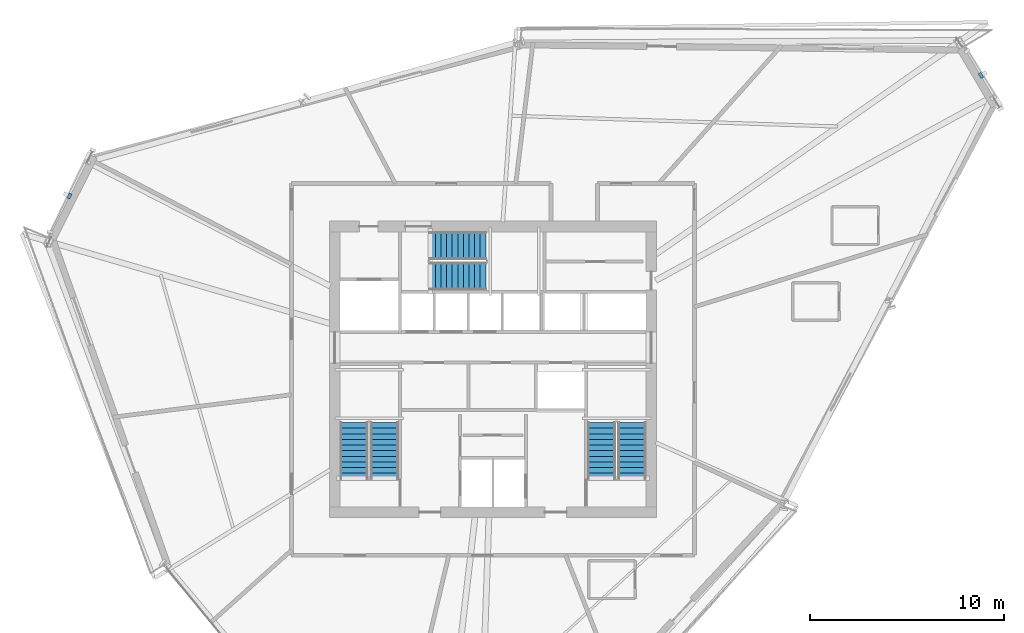
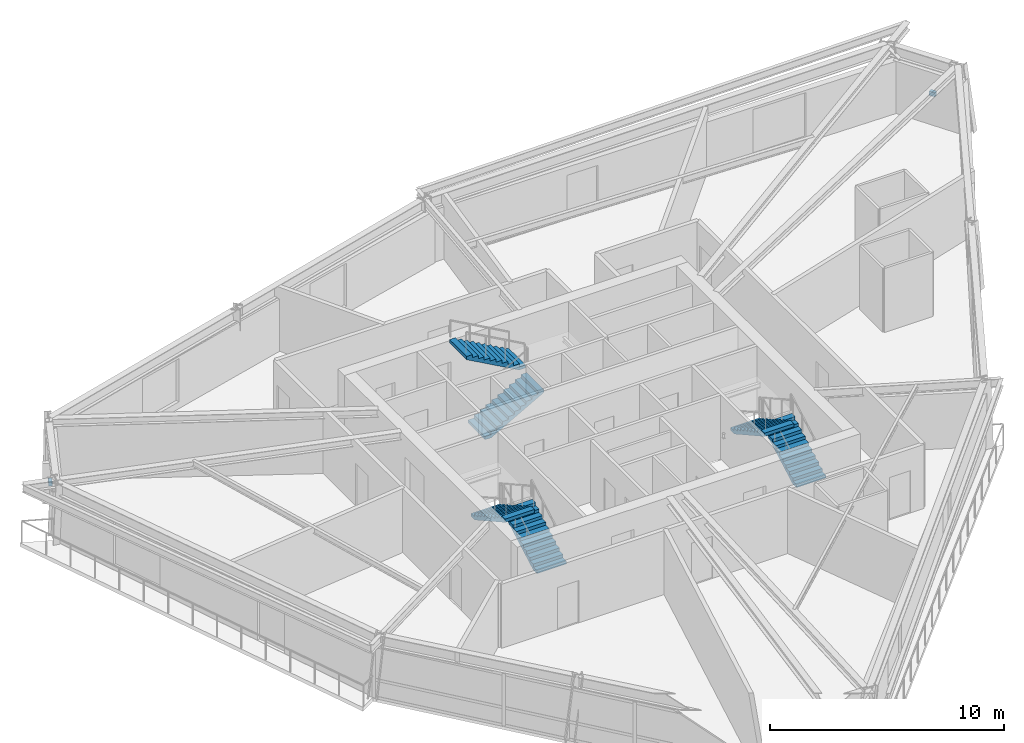
# One storey, part 12 of 15: 6 stair flights, 2 discrete accessories, 3 elements without a shape of their own.
"""IFC4 building model written with IfcOpenShell, lengths in metres."""

from ifc_helpers import new_model, si_unit, direction, frame, origin, origin_2d, place, context, subcontext, project, spatial, polyline, rectangle, outline, extrude, source, transform, mapped, material, type_object, element, aggregate, save


model = new_model("IFC4")

# Units and contexts
model_context = context("Model", 3, precision=1e-05, world=origin(), true_north=direction((0.0, 1.0)))
body_context = subcontext(model_context, "Body", "Model", "MODEL_VIEW")
ifc_project = project(units=[si_unit("LENGTHUNIT", "METRE"), si_unit("AREAUNIT", "SQUARE_METRE"), si_unit("VOLUMEUNIT", "CUBIC_METRE"), si_unit("PLANEANGLEUNIT", "RADIAN"), si_unit("MASSUNIT", "GRAM", prefix="KILO")], contexts=[model_context])

# Site, building, storey
site_placement = place(None, origin())
site = spatial("IfcSite", under=ifc_project, at=site_placement, CompositionType="ELEMENT")
building_placement = place(site_placement, origin())
building = spatial("IfcBuilding", under=site, at=building_placement, Name="Olszyna Solenne Hotel", CompositionType="ELEMENT")
storey_placement = place(building_placement, frame((0.0, 0.0, 160.800048828125)))
storey = spatial("IfcBuildingStorey", under=building, at=storey_placement, Name="L42", CompositionType="ELEMENT", Elevation=160.800048828125)

# Stair, stair flights
ifc_material_1 = material(Name="Concrete C40/50", Category="concrete")
stair_type = type_object("IfcStairType", Name="STR-C1", PredefinedType="TWO_QUARTER_WINDING_STAIR", material=ifc_material_1)
stair_1_placement = place(storey_placement, origin())
stair_1 = element("IfcStair", 1, at=stair_1_placement, inside=storey, type_object=stair_type, Name="L42 ST1", PredefinedType="TWO_QUARTER_WINDING_STAIR")
stair_flight_type = type_object("IfcStairFlightType", Name="FLT-C1", PredefinedType="STRAIGHT", material=ifc_material_1)
stair_flight_1_placement = place(storey_placement, frame((32.39501953125, 20.949951171875, 0.0), z_axis=(0.0, 0.0, 1.0), x_axis=(0.0, 1.0, 0.0)))
stair_flight_1 = element("IfcStairFlight", 2, at=stair_flight_1_placement, type_object=stair_flight_type, Name="ST1 flight 1", NumberOfRisers=11, NumberOfTreads=10, PredefinedType="STRAIGHT", RiserHeight=0.161363636, TreadLength=0.29, context=body_context, shape_type="SweptSolid", body=[
    extrude(outline(polyline([(0.0, 0.0), (0.0, 0.161376953125), (0.2900390625, 0.161376953125), (0.2900390625, 0.32275390625), (0.580078125, 0.32275390625), (0.580078125, 0.484130859375), (0.8701171875, 0.484130859375), (0.8701171875, 0.6455078125), (1.159912109375, 0.6455078125), (1.159912109375, 0.806884765625), (1.449951171875, 0.806884765625), (1.449951171875, 0.96826171875), (1.739990234375, 0.96826171875), (1.739990234375, 1.129638671875), (2.030029296875, 1.129638671875), (2.030029296875, 1.291015625), (2.320068359375, 1.291015625), (2.320068359375, 1.452392578125), (2.610107421875, 1.452392578125), (2.610107421875, 1.613525390625), (2.89990234375, 1.613525390625), (2.89990234375, 1.77490234375), (2.89990234375, 1.442138671875), (0.308349609375, 0.0), (0.0, 0.0)])), frame((0.0, 0.72509765625, 0.0), z_axis=(0.0, -1.0, 0.0), x_axis=(1.0, 0.0, 0.0)), (0.0, 0.0, 1.0), 1.449951171875),
])
stair_flight_2_placement = place(storey_placement, frame((30.824951171875, 23.85009765625, 1.77490234375), z_axis=(0.0, 0.0, 1.0), x_axis=(0.0, -1.0, 0.0)))
stair_flight_2 = element("IfcStairFlight", 3, at=stair_flight_2_placement, type_object=stair_flight_type, Name="ST1 flight 2", NumberOfRisers=11, NumberOfTreads=10, PredefinedType="STRAIGHT", RiserHeight=0.161363636, TreadLength=0.29, context=body_context, shape_type="SweptSolid", body=[
    extrude(outline(polyline([(0.0, 0.0), (0.0, 0.161376953125), (0.2900390625, 0.161376953125), (0.2900390625, 0.32275390625), (0.580078125, 0.32275390625), (0.580078125, 0.484130859375), (0.8701171875, 0.484130859375), (0.8701171875, 0.6455078125), (1.159912109375, 0.6455078125), (1.159912109375, 0.806884765625), (1.449951171875, 0.806884765625), (1.449951171875, 0.96826171875), (1.739990234375, 0.96826171875), (1.739990234375, 1.129638671875), (2.030029296875, 1.129638671875), (2.030029296875, 1.291015625), (2.320068359375, 1.291015625), (2.320068359375, 1.452392578125), (2.610107421875, 1.452392578125), (2.610107421875, 1.613525390625), (2.89990234375, 1.613525390625), (2.89990234375, 1.77490234375), (2.89990234375, 1.442138671875), (0.308349609375, 0.0), (0.0, 0.0)])), frame((0.0, 0.72509765625, 0.0), z_axis=(0.0, -1.0, 0.0), x_axis=(1.0, 0.0, 0.0)), (0.0, 0.0, 1.0), 1.449951171875),
])
aggregate(stair_1, [stair_flight_1, stair_flight_2])

stair_2_placement = place(storey_placement, origin())
stair_2 = element("IfcStair", 4, at=stair_2_placement, inside=storey, type_object=stair_type, Name="L42 ST2", PredefinedType="TWO_QUARTER_WINDING_STAIR")
stair_flight_3_placement = place(storey_placement, frame((45.175048828125, 20.949951171875, 0.0), z_axis=(0.0, 0.0, 1.0), x_axis=(0.0, 1.0, 0.0)))
stair_flight_3 = element("IfcStairFlight", 5, at=stair_flight_3_placement, type_object=stair_flight_type, Name="ST2 flight 1", NumberOfRisers=11, NumberOfTreads=10, PredefinedType="STRAIGHT", RiserHeight=0.161363636, TreadLength=0.29, context=body_context, shape_type="SweptSolid", body=[
    extrude(outline(polyline([(0.0, 0.0), (0.0, 0.161376953125), (0.2900390625, 0.161376953125), (0.2900390625, 0.32275390625), (0.580078125, 0.32275390625), (0.580078125, 0.484130859375), (0.8701171875, 0.484130859375), (0.8701171875, 0.6455078125), (1.159912109375, 0.6455078125), (1.159912109375, 0.806884765625), (1.449951171875, 0.806884765625), (1.449951171875, 0.96826171875), (1.739990234375, 0.96826171875), (1.739990234375, 1.129638671875), (2.030029296875, 1.129638671875), (2.030029296875, 1.291015625), (2.320068359375, 1.291015625), (2.320068359375, 1.452392578125), (2.610107421875, 1.452392578125), (2.610107421875, 1.613525390625), (2.89990234375, 1.613525390625), (2.89990234375, 1.77490234375), (2.89990234375, 1.442138671875), (0.308349609375, 0.0), (0.0, 0.0)])), frame((0.0, 0.72509765625, 0.0), z_axis=(0.0, -1.0, 0.0), x_axis=(1.0, 0.0, 0.0)), (0.0, 0.0, 1.0), 1.449951171875),
])
stair_flight_4_placement = place(storey_placement, frame((43.60498046875, 23.85009765625, 1.77490234375), z_axis=(0.0, 0.0, 1.0), x_axis=(0.0, -1.0, 0.0)))
stair_flight_4 = element("IfcStairFlight", 6, at=stair_flight_4_placement, type_object=stair_flight_type, Name="ST2 flight 2", NumberOfRisers=11, NumberOfTreads=10, PredefinedType="STRAIGHT", RiserHeight=0.161363636, TreadLength=0.29, context=body_context, shape_type="SweptSolid", body=[
    extrude(outline(polyline([(0.0, 0.0), (0.0, 0.161376953125), (0.2900390625, 0.161376953125), (0.2900390625, 0.32275390625), (0.580078125, 0.32275390625), (0.580078125, 0.484130859375), (0.8701171875, 0.484130859375), (0.8701171875, 0.6455078125), (1.159912109375, 0.6455078125), (1.159912109375, 0.806884765625), (1.449951171875, 0.806884765625), (1.449951171875, 0.96826171875), (1.739990234375, 0.96826171875), (1.739990234375, 1.129638671875), (2.030029296875, 1.129638671875), (2.030029296875, 1.291015625), (2.320068359375, 1.291015625), (2.320068359375, 1.452392578125), (2.610107421875, 1.452392578125), (2.610107421875, 1.613525390625), (2.89990234375, 1.613525390625), (2.89990234375, 1.77490234375), (2.89990234375, 1.442138671875), (0.308349609375, 0.0), (0.0, 0.0)])), frame((0.0, 0.72509765625, 0.0), z_axis=(0.0, -1.0, 0.0), x_axis=(1.0, 0.0, 0.0)), (0.0, 0.0, 1.0), 1.449951171875),
])
aggregate(stair_2, [stair_flight_3, stair_flight_4])

stair_3_placement = place(storey_placement, origin())
stair_3 = element("IfcStair", 7, at=stair_3_placement, inside=storey, type_object=stair_type, Name="L42 ST3", PredefinedType="TWO_QUARTER_WINDING_STAIR")
stair_flight_5_placement = place(storey_placement, frame((34.72998046875, 31.405029296875, 0.0), z_axis=(0.0, 0.0, 1.0), x_axis=(1.0, 0.0, 0.0)))
stair_flight_5 = element("IfcStairFlight", 8, at=stair_flight_5_placement, type_object=stair_flight_type, Name="ST3 flight 1", NumberOfRisers=11, NumberOfTreads=10, PredefinedType="STRAIGHT", RiserHeight=0.161363636, TreadLength=0.29, context=body_context, shape_type="SweptSolid", body=[
    extrude(outline(polyline([(0.0, 0.0), (0.0, 0.161376953125), (0.2900390625, 0.161376953125), (0.2900390625, 0.32275390625), (0.580078125, 0.32275390625), (0.580078125, 0.484130859375), (0.8701171875, 0.484130859375), (0.8701171875, 0.6455078125), (1.159912109375, 0.6455078125), (1.159912109375, 0.806884765625), (1.449951171875, 0.806884765625), (1.449951171875, 0.96826171875), (1.739990234375, 0.96826171875), (1.739990234375, 1.129638671875), (2.030029296875, 1.129638671875), (2.030029296875, 1.291015625), (2.320068359375, 1.291015625), (2.320068359375, 1.452392578125), (2.610107421875, 1.452392578125), (2.610107421875, 1.613525390625), (2.89990234375, 1.613525390625), (2.89990234375, 1.77490234375), (2.89990234375, 1.442138671875), (0.308349609375, 0.0), (0.0, 0.0)])), frame((0.0, 0.72509765625, 0.0), z_axis=(0.0, -1.0, 0.0), x_axis=(1.0, 0.0, 0.0)), (0.0, 0.0, 1.0), 1.449951171875),
])
stair_flight_6_placement = place(storey_placement, frame((37.6298828125, 32.97509765625, 1.77490234375), z_axis=(0.0, 0.0, 1.0), x_axis=(-1.0, 0.0, 0.0)))
stair_flight_6 = element("IfcStairFlight", 9, at=stair_flight_6_placement, type_object=stair_flight_type, Name="ST3 flight 2", NumberOfRisers=11, NumberOfTreads=10, PredefinedType="STRAIGHT", RiserHeight=0.161363636, TreadLength=0.29, context=body_context, shape_type="SweptSolid", body=[
    extrude(outline(polyline([(0.0, 0.0), (0.0, 0.161376953125), (0.2900390625, 0.161376953125), (0.2900390625, 0.32275390625), (0.580078125, 0.32275390625), (0.580078125, 0.484130859375), (0.8701171875, 0.484130859375), (0.8701171875, 0.6455078125), (1.159912109375, 0.6455078125), (1.159912109375, 0.806884765625), (1.449951171875, 0.806884765625), (1.449951171875, 0.96826171875), (1.739990234375, 0.96826171875), (1.739990234375, 1.129638671875), (2.030029296875, 1.129638671875), (2.030029296875, 1.291015625), (2.320068359375, 1.291015625), (2.320068359375, 1.452392578125), (2.610107421875, 1.452392578125), (2.610107421875, 1.613525390625), (2.89990234375, 1.613525390625), (2.89990234375, 1.77490234375), (2.89990234375, 1.442138671875), (0.308349609375, 0.0), (0.0, 0.0)])), frame((0.0, 0.72509765625, 0.0), z_axis=(0.0, -1.0, 0.0), x_axis=(1.0, 0.0, 0.0)), (0.0, 0.0, 1.0), 1.449951171875),
])
aggregate(stair_3, [stair_flight_5, stair_flight_6])

# Discrete accessories
ifc_material_2 = material(Name="Steel S355J2", Category="steel")
discrete_accessory_type = type_object("IfcDiscreteAccessoryType", Name="BRK-01", PredefinedType="BRACKET", material=ifc_material_2)
shared_shape = source(origin(), body_context, "Body", "SweptSolid", [
    extrude(rectangle(XDim=0.280029296875, YDim=0.159912109375, at=origin_2d()), origin(), (0.0, 0.0, 1.0), 0.219970703125),
])
for number, where, z_axis, x_axis, name in (
    (10, (16.12890625, 35.5439453125, 1.2509765625), (0.0, 0.0, 1.0), (0.450877540689, 0.892585818452, 0.0), "Facade support bracket BRK-FN-L42-06"),
    (11, (63.1962890625, 41.773681640625, 1.2509765625), (0.0, 0.0, 1.0), (0.511293086077, -0.859406411501, 0.0), "Facade support bracket BRK-FN-L42-09"),
):
    element("IfcDiscreteAccessory", number, at=place(storey_placement, frame(where, z_axis=z_axis, x_axis=x_axis)), inside=storey, type_object=discrete_accessory_type, Name=name, PredefinedType="BRACKET", context=body_context, shape_type="MappedRepresentation", body=[
        mapped(shared_shape, transform((0.0, 0.0, 0.0), x_axis=(1.0, 0.0, 0.0), y_axis=(0.0, 1.0, 0.0), z_axis=(0.0, 0.0, 1.0), scale=1.0)),
    ])

save(model, "model.ifc")
